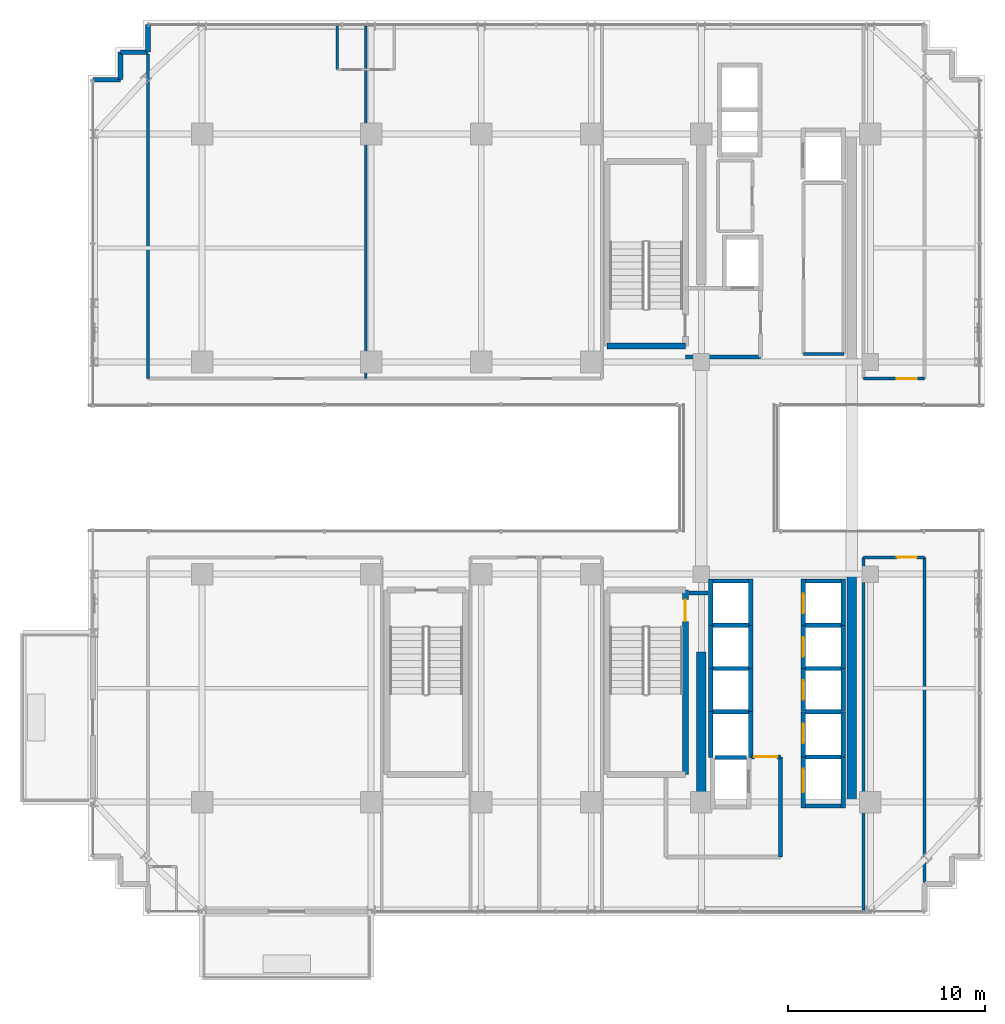
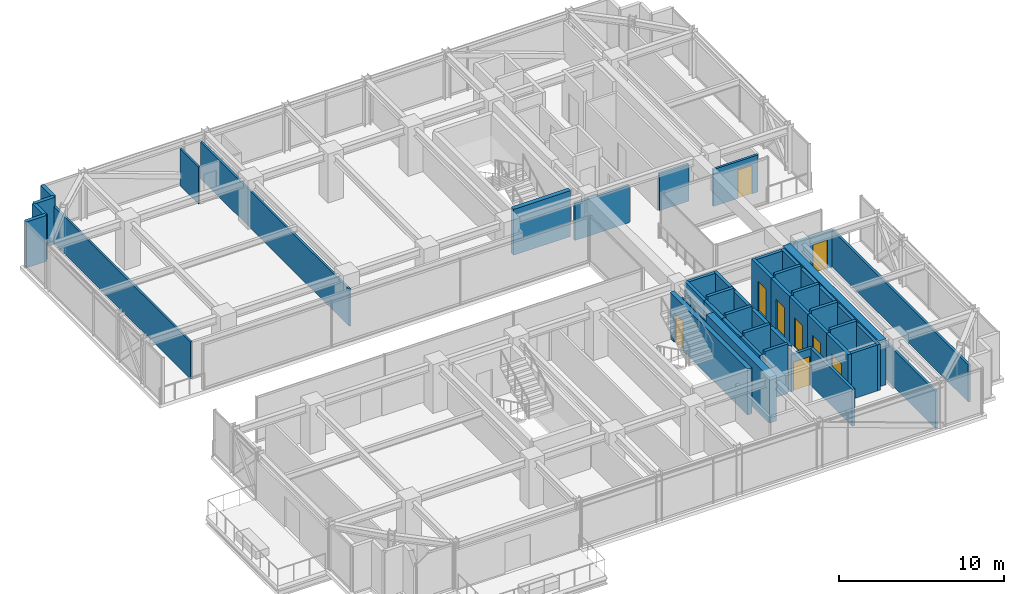
# One storey, part 30 of 36: 49 walls, 9 doors, 9 openings.
"""IFC4 building model written with IfcOpenShell, lengths in metres."""

from ifc_helpers import new_model, si_unit, direction, frame, frame_2d, origin, place, context, subcontext, project, spatial, rectangle, extrude, source, transform, mapped, material, layer, layer_set, type_object, element, fill, save


model = new_model("IFC4")

# Units and contexts
model_context = context("Model", 3, precision=1e-05, world=origin(), true_north=direction((0.0, 1.0)))
body_context = subcontext(model_context, "Body", "Model", "MODEL_VIEW")
ifc_project = project(units=[si_unit("LENGTHUNIT", "METRE"), si_unit("AREAUNIT", "SQUARE_METRE"), si_unit("VOLUMEUNIT", "CUBIC_METRE"), si_unit("PLANEANGLEUNIT", "RADIAN"), si_unit("MASSUNIT", "GRAM", prefix="KILO")], contexts=[model_context])

# Site, building, storey
site_placement = place(None, origin())
site = spatial("IfcSite", under=ifc_project, at=site_placement, CompositionType="ELEMENT")
building_placement = place(site_placement, origin())
building = spatial("IfcBuilding", under=site, at=building_placement, Name="Nahalor Promenade Grand Hotel", CompositionType="ELEMENT")
storey_placement = place(building_placement, frame((0.0, 0.0, 170.89990234375)))
storey = spatial("IfcBuildingStorey", under=building, at=storey_placement, Name="L43", CompositionType="ELEMENT", Elevation=170.89990234375)

# Walls
ifc_material_1 = material(Name="Concrete B-60 (C50/60)", Category="concrete")
ifc_layer_1 = layer(ifc_material_1, 0.5)
ifc_layer_set_1 = layer_set([ifc_layer_1], Name="Concrete B-60 (C50/60)")
wall_type_1 = type_object("IfcWallType", Name="Wall-CoreShear-500", PredefinedType="SHEAR", material=ifc_layer_set_1)
shared_shape_1 = source(origin(), body_context, "Body", "SweptSolid", [
    extrude(rectangle(XDim=7.64990234375, YDim=0.5, at=frame_2d((3.824951171875, 0.0))), origin(), (0.0, 0.0, 1.0), 3.39013671875),
])
wall_1_placement = place(storey_placement, frame((8.39990234375, -17.0, 0.0), z_axis=(0.0, 0.0, 1.0), x_axis=(0.0, 1.0, 0.0)))
element("IfcWall", 1, at=wall_1_placement, inside=storey, type_object=wall_type_1, Name="CWALL-L43-SW", PredefinedType="SHEAR", context=body_context, shape_type="MappedRepresentation", body=[
    mapped(shared_shape_1, transform((0.0, 0.0, 0.0), scale=1.0)),
])
shared_shape_2 = source(origin(), body_context, "Body", "SweptSolid", [
    extrude(rectangle(XDim=11.60009765625, YDim=0.5, at=frame_2d((5.800048828125, 0.0))), origin(), (0.0, 0.0, 1.0), 3.39013671875),
])
wall_2_placement = place(storey_placement, frame((16.050048828125, -17.0, 0.0), z_axis=(0.0, 0.0, 1.0), x_axis=(0.0, 1.0, 0.0)))
element("IfcWall", 2, at=wall_2_placement, inside=storey, type_object=wall_type_1, Name="CWALL-L43-SE", PredefinedType="SHEAR", context=body_context, shape_type="MappedRepresentation", body=[
    mapped(shared_shape_2, transform((0.0, 0.0, 0.0), scale=1.0)),
])
ifc_material_2 = material(Name="Concrete B-50 (C40/50)", Category="concrete")
ifc_layer_2 = layer(ifc_material_2, 0.300048828125)
ifc_layer_set_2 = layer_set([ifc_layer_2], Name="Concrete B-50 (C40/50)")
wall_type_2 = type_object("IfcWallType", Name="Wall-ShaftShear-300", PredefinedType="SHEAR", material=ifc_layer_set_2)
shared_shape_3 = source(origin(), body_context, "Body", "SweptSolid", [
    extrude(rectangle(XDim=3.97998046875, YDim=0.300048828125, at=frame_2d((1.989990234375, 0.0))), origin(), (0.0, 0.0, 1.0), 3.39013671875),
])
wall_3_placement = place(storey_placement, frame((3.610107421875, 6.2099609375, 0.0), z_axis=(0.0, 0.0, 1.0), x_axis=(1.0, 0.0, 0.0)))
element("IfcWall", 3, at=wall_3_placement, inside=storey, type_object=wall_type_2, Name="L43 Exit Stair ST1 Shaft Wall S", PredefinedType="SHEAR", context=body_context, shape_type="MappedRepresentation", body=[
    mapped(shared_shape_3, transform((0.0, 0.0, 0.0), scale=1.0)),
])

# Wall, opening, door
shared_shape_4 = source(origin(), body_context, "Body", "SweptSolid", [
    extrude(rectangle(XDim=9.380126953125, YDim=0.300048828125, at=frame_2d((4.68994140625, 0.0))), origin(), (0.0, 0.0, 1.0), 3.39013671875),
])
wall_4_placement = place(storey_placement, frame((7.590087890625, -15.590087890625, 0.0), z_axis=(0.0, 0.0, 1.0), x_axis=(0.0, 1.0, 0.0)))
wall_4 = element("IfcWall", 4, at=wall_4_placement, inside=storey, type_object=wall_type_2, Name="L43 Exit Stair ST2 Shaft Wall E", PredefinedType="SHEAR", context=body_context, shape_type="MappedRepresentation", body=[
    mapped(shared_shape_4, transform((0.0, 0.0, 0.0), scale=1.0)),
])
opening_1_placement = place(wall_4_placement, frame((7.7900390625, 0.0, 0.0)))
opening_1 = element("IfcOpeningElement", 5, at=opening_1_placement, cuts=wall_4, Name="Opening D-ST1", PredefinedType="OPENING", context=body_context, shape_type="SweptSolid", body=[
    extrude(rectangle(XDim=1.10009765625, YDim=2.14990234375, at=frame_2d((0.550048828125, 1.074951171875))), frame((0.0, 0.159912109375, 0.0), z_axis=(0.0, -1.0, 0.0), x_axis=(1.0, 0.0, 0.0)), (0.0, 0.0, 1.0), 0.320068359375),
])
ifc_material_3 = material(Name="Steel S355JR", Category="steel")
door_type_1 = type_object("IfcDoorType", Name="Door-StairFire-1100", OperationType="NOTDEFINED", PredefinedType="DOOR", material=ifc_material_3)
shared_shape_5 = source(origin(), body_context, "Body", "SweptSolid", [
    extrude(rectangle(XDim=1.10009765625, YDim=2.14990234375, at=frame_2d((0.550048828125, 1.074951171875))), frame((0.0, 0.02490234375, 0.0), z_axis=(0.0, -1.0, 0.0), x_axis=(1.0, 0.0, 0.0)), (0.0, 0.0, 1.0), 0.050048828125),
])
door_1_placement = place(opening_1_placement, origin())
door_1 = element("IfcDoor", 6, at=door_1_placement, inside=storey, type_object=door_type_1, Name="DR-STAIR-ST2-L43", OperationType="SINGLE_SWING_RIGHT", OverallHeight=2.14990234375, OverallWidth=1.10009765625, PredefinedType="DOOR", context=body_context, shape_type="MappedRepresentation", body=[
    mapped(shared_shape_5, transform((0.0, 0.0, 0.0), scale=1.0)),
])
fill(opening_1, door_1)

# Walls
ifc_layer_3 = layer(ifc_material_2, 0.219970703125)
ifc_layer_set_3 = layer_set([ifc_layer_3], Name="Concrete B-50 (C40/50)")
wall_type_3 = type_object("IfcWallType", Name="Wall-LiftShaft-220", PredefinedType="SHEAR", material=ifc_layer_set_3)
shared_shape_6 = source(origin(), body_context, "Body", "SweptSolid", [
    extrude(rectangle(XDim=1.820068359375, YDim=0.219970703125, at=frame_2d((0.91015625, 0.0))), origin(), (0.0, 0.0, 1.0), 3.650146484375),
])
for number, where, z_axis, x_axis, name in (
    (7, (13.68994140625, -8.0, 0.0), (0.0, 0.0, 1.0), (1.0, 0.0, 0.0), "L43 Lift PL6 Hoistway Wall N"),
    (8, (13.68994140625, -10.199951171875, 0.0), (0.0, 0.0, 1.0), (1.0, 0.0, 0.0), "L43 Lift PL7 Hoistway Wall N"),
    (9, (13.68994140625, -12.39990234375, 0.0), (0.0, 0.0, 1.0), (1.0, 0.0, 0.0), "L43 Lift PL8 Hoistway Wall N"),
    (10, (8.989990234375, -8.0, 0.0), (0.0, 0.0, 1.0), (1.0, 0.0, 0.0), "L43 Lift PL10 Hoistway Wall N"),
    (11, (8.989990234375, -10.199951171875, 0.0), (0.0, 0.0, 1.0), (1.0, 0.0, 0.0), "L43 Lift PL11 Hoistway Wall N"),
    (12, (8.989990234375, -12.39990234375, 0.0), (0.0, 0.0, 1.0), (1.0, 0.0, 0.0), "L43 Lift PL12 Hoistway Wall N"),
    (13, (13.68994140625, -14.699951171875, 0.0), (0.0, 0.0, 1.0), (1.0, 0.0, 0.0), "L43 Lift SV2 Hoistway Wall N"),
):
    element("IfcWall", number, at=place(storey_placement, frame(where, z_axis=z_axis, x_axis=x_axis)), inside=storey, type_object=wall_type_3, Name=name, PredefinedType="SHEAR", context=body_context, shape_type="MappedRepresentation", body=[
        mapped(shared_shape_6, transform((0.0, 0.0, 0.0), scale=1.0)),
    ])

# Wall, opening, door
shared_shape_7 = source(origin(), body_context, "Body", "SweptSolid", [
    extrude(rectangle(XDim=2.360107421875, YDim=0.219970703125, at=frame_2d((1.18017578125, 0.0))), origin(), (0.0, 0.0, 1.0), 3.39013671875),
])
wall_5_placement = place(storey_placement, frame((13.580078125, -8.0, 0.0), z_axis=(0.0, 0.0, 1.0), x_axis=(0.0, 1.0, 0.0)))
wall_5 = element("IfcWall", 14, at=wall_5_placement, inside=storey, type_object=wall_type_3, Name="L43 Lift PL5 Hoistway Wall W", PredefinedType="SHEAR", context=body_context, shape_type="MappedRepresentation", body=[
    mapped(shared_shape_7, transform((0.0, 0.0, 0.0), scale=1.0)),
])
opening_2_placement = place(wall_5_placement, frame((0.60009765625, 0.0, 0.0)))
opening_2 = element("IfcOpeningElement", 15, at=opening_2_placement, cuts=wall_5, Name="Opening LD-01", PredefinedType="OPENING", context=body_context, shape_type="SweptSolid", body=[
    extrude(rectangle(XDim=1.0, YDim=2.199951171875, at=frame_2d((0.5, 1.10009765625))), frame((0.0, 0.119873046875, 0.0), z_axis=(0.0, -1.0, 0.0), x_axis=(1.0, 0.0, 0.0)), (0.0, 0.0, 1.0), 0.239990234375),
])
door_type_2 = type_object("IfcDoorType", Name="Door-LiftLanding-1000", OperationType="DOUBLE_DOOR_SLIDING", PredefinedType="DOOR", material=ifc_material_3)
shared_shape_8 = source(origin(), body_context, "Body", "SweptSolid", [
    extrude(rectangle(XDim=1.0, YDim=2.199951171875, at=frame_2d((0.5, 1.10009765625))), frame((0.0, 0.02490234375, 0.0), z_axis=(0.0, -1.0, 0.0), x_axis=(1.0, 0.0, 0.0)), (0.0, 0.0, 1.0), 0.050048828125),
])
door_2_placement = place(opening_2_placement, origin())
door_2 = element("IfcDoor", 16, at=door_2_placement, inside=storey, type_object=door_type_2, Name="DR-LIFT-PL5-L43", OperationType="DOUBLE_DOOR_SLIDING", OverallHeight=2.199951171875, OverallWidth=1.0, PredefinedType="DOOR", context=body_context, shape_type="MappedRepresentation", body=[
    mapped(shared_shape_8, transform((0.0, 0.0, 0.0), scale=1.0)),
])
fill(opening_2, door_2)

# Walls
for number, where, z_axis, x_axis, name in (
    (17, (15.6201171875, -8.0, 0.0), (0.0, 0.0, 1.0), (0.0, 1.0, 0.0), "L43 Lift PL5 Hoistway Wall E"),
    (18, (8.8798828125, -8.0, 0.0), (0.0, 0.0, 1.0), (0.0, 1.0, 0.0), "L43 Lift PL9 Hoistway Wall W"),
    (19, (10.919921875, -8.0, 0.0), (0.0, 0.0, 1.0), (0.0, 1.0, 0.0), "L43 Lift PL9 Hoistway Wall E"),
):
    element("IfcWall", number, at=place(storey_placement, frame(where, z_axis=z_axis, x_axis=x_axis)), inside=storey, type_object=wall_type_3, Name=name, PredefinedType="SHEAR", context=body_context, shape_type="MappedRepresentation", body=[
        mapped(shared_shape_7, transform((0.0, 0.0, 0.0), scale=1.0)),
    ])
shared_shape_9 = source(origin(), body_context, "Body", "SweptSolid", [
    extrude(rectangle(XDim=1.820068359375, YDim=0.219970703125, at=frame_2d((0.91015625, 0.0))), origin(), (0.0, 0.0, 1.0), 3.39013671875),
])
for number, where, z_axis, x_axis, name in (
    (20, (13.68994140625, -5.75, 0.0), (0.0, 0.0, 1.0), (1.0, 0.0, 0.0), "L43 Lift PL5 Hoistway Wall N"),
    (21, (8.989990234375, -5.75, 0.0), (0.0, 0.0, 1.0), (1.0, 0.0, 0.0), "L43 Lift PL9 Hoistway Wall N"),
    (22, (13.68994140625, -17.199951171875, 0.0), (0.0, 0.0, 1.0), (1.0, 0.0, 0.0), "L43 Lift SV2 Hoistway Wall S"),
):
    element("IfcWall", number, at=place(storey_placement, frame(where, z_axis=z_axis, x_axis=x_axis)), inside=storey, type_object=wall_type_3, Name=name, PredefinedType="SHEAR", context=body_context, shape_type="MappedRepresentation", body=[
        mapped(shared_shape_9, transform((0.0, 0.0, 0.0), scale=1.0)),
    ])

# Wall, opening, door
shared_shape_10 = source(origin(), body_context, "Body", "SweptSolid", [
    extrude(rectangle(XDim=2.199951171875, YDim=0.219970703125, at=frame_2d((1.10009765625, 0.0))), origin(), (0.0, 0.0, 1.0), 3.39013671875),
])
wall_6_placement = place(storey_placement, frame((13.580078125, -10.199951171875, 0.0), z_axis=(0.0, 0.0, 1.0), x_axis=(0.0, 1.0, 0.0)))
wall_6 = element("IfcWall", 23, at=wall_6_placement, inside=storey, type_object=wall_type_3, Name="L43 Lift PL6 Hoistway Wall W", PredefinedType="SHEAR", context=body_context, shape_type="MappedRepresentation", body=[
    mapped(shared_shape_10, transform((0.0, 0.0, 0.0), scale=1.0)),
])
opening_3_placement = place(wall_6_placement, frame((0.60009765625, 0.0, 0.0)))
opening_3 = element("IfcOpeningElement", 24, at=opening_3_placement, cuts=wall_6, Name="Opening LD-01", PredefinedType="OPENING", context=body_context, shape_type="SweptSolid", body=[
    extrude(rectangle(XDim=1.0, YDim=2.199951171875, at=frame_2d((0.5, 1.10009765625))), frame((0.0, 0.119873046875, 0.0), z_axis=(0.0, -1.0, 0.0), x_axis=(1.0, 0.0, 0.0)), (0.0, 0.0, 1.0), 0.239990234375),
])
door_3_placement = place(opening_3_placement, origin())
door_3 = element("IfcDoor", 25, at=door_3_placement, inside=storey, type_object=door_type_2, Name="DR-LIFT-PL6-L43", OperationType="DOUBLE_DOOR_SLIDING", OverallHeight=2.199951171875, OverallWidth=1.0, PredefinedType="DOOR", context=body_context, shape_type="MappedRepresentation", body=[
    mapped(shared_shape_8, transform((0.0, 0.0, 0.0), scale=1.0)),
])
fill(opening_3, door_3)

# Wall
wall_7_placement = place(storey_placement, frame((15.6201171875, -10.199951171875, 0.0), z_axis=(0.0, 0.0, 1.0), x_axis=(0.0, 1.0, 0.0)))
element("IfcWall", 26, at=wall_7_placement, inside=storey, type_object=wall_type_3, Name="L43 Lift PL6 Hoistway Wall E", PredefinedType="SHEAR", context=body_context, shape_type="MappedRepresentation", body=[
    mapped(shared_shape_10, transform((0.0, 0.0, 0.0), scale=1.0)),
])

# Wall, opening, door
wall_8_placement = place(storey_placement, frame((13.580078125, -12.39990234375, 0.0), z_axis=(0.0, 0.0, 1.0), x_axis=(0.0, 1.0, 0.0)))
wall_8 = element("IfcWall", 27, at=wall_8_placement, inside=storey, type_object=wall_type_3, Name="L43 Lift PL7 Hoistway Wall W", PredefinedType="SHEAR", context=body_context, shape_type="MappedRepresentation", body=[
    mapped(shared_shape_10, transform((0.0, 0.0, 0.0), scale=1.0)),
])
opening_4_placement = place(wall_8_placement, frame((0.60009765625, 0.0, 0.0)))
opening_4 = element("IfcOpeningElement", 28, at=opening_4_placement, cuts=wall_8, Name="Opening LD-01", PredefinedType="OPENING", context=body_context, shape_type="SweptSolid", body=[
    extrude(rectangle(XDim=1.0, YDim=2.199951171875, at=frame_2d((0.5, 1.10009765625))), frame((0.0, 0.119873046875, 0.0), z_axis=(0.0, -1.0, 0.0), x_axis=(1.0, 0.0, 0.0)), (0.0, 0.0, 1.0), 0.239990234375),
])
door_4_placement = place(opening_4_placement, origin())
door_4 = element("IfcDoor", 29, at=door_4_placement, inside=storey, type_object=door_type_2, Name="DR-LIFT-PL7-L43", OperationType="DOUBLE_DOOR_SLIDING", OverallHeight=2.199951171875, OverallWidth=1.0, PredefinedType="DOOR", context=body_context, shape_type="MappedRepresentation", body=[
    mapped(shared_shape_8, transform((0.0, 0.0, 0.0), scale=1.0)),
])
fill(opening_4, door_4)

# Walls
for number, where, z_axis, x_axis, name in (
    (30, (15.6201171875, -12.39990234375, 0.0), (0.0, 0.0, 1.0), (0.0, 1.0, 0.0), "L43 Lift PL7 Hoistway Wall E"),
    (31, (8.8798828125, -10.199951171875, 0.0), (0.0, 0.0, 1.0), (0.0, 1.0, 0.0), "L43 Lift PL10 Hoistway Wall W"),
    (32, (10.919921875, -10.199951171875, 0.0), (0.0, 0.0, 1.0), (0.0, 1.0, 0.0), "L43 Lift PL10 Hoistway Wall E"),
    (33, (8.8798828125, -12.39990234375, 0.0), (0.0, 0.0, 1.0), (0.0, 1.0, 0.0), "L43 Lift PL11 Hoistway Wall W"),
    (34, (10.919921875, -12.39990234375, 0.0), (0.0, 0.0, 1.0), (0.0, 1.0, 0.0), "L43 Lift PL11 Hoistway Wall E"),
):
    element("IfcWall", number, at=place(storey_placement, frame(where, z_axis=z_axis, x_axis=x_axis)), inside=storey, type_object=wall_type_3, Name=name, PredefinedType="SHEAR", context=body_context, shape_type="MappedRepresentation", body=[
        mapped(shared_shape_10, transform((0.0, 0.0, 0.0), scale=1.0)),
    ])

# Wall, opening, door
shared_shape_11 = source(origin(), body_context, "Body", "SweptSolid", [
    extrude(rectangle(XDim=2.300048828125, YDim=0.219970703125, at=frame_2d((1.14990234375, 0.0))), origin(), (0.0, 0.0, 1.0), 3.39013671875),
])
wall_9_placement = place(storey_placement, frame((13.580078125, -14.699951171875, 0.0), z_axis=(0.0, 0.0, 1.0), x_axis=(0.0, 1.0, 0.0)))
wall_9 = element("IfcWall", 35, at=wall_9_placement, inside=storey, type_object=wall_type_3, Name="L43 Lift PL8 Hoistway Wall W", PredefinedType="SHEAR", context=body_context, shape_type="MappedRepresentation", body=[
    mapped(shared_shape_11, transform((0.0, 0.0, 0.0), scale=1.0)),
])
opening_5_placement = place(wall_9_placement, frame((0.699951171875, 0.0, 0.0)))
opening_5 = element("IfcOpeningElement", 36, at=opening_5_placement, cuts=wall_9, Name="Opening LD-01", PredefinedType="OPENING", context=body_context, shape_type="SweptSolid", body=[
    extrude(rectangle(XDim=1.0, YDim=2.199951171875, at=frame_2d((0.5, 1.10009765625))), frame((0.0, 0.119873046875, 0.0), z_axis=(0.0, -1.0, 0.0), x_axis=(1.0, 0.0, 0.0)), (0.0, 0.0, 1.0), 0.239990234375),
])
door_5_placement = place(opening_5_placement, origin())
door_5 = element("IfcDoor", 37, at=door_5_placement, inside=storey, type_object=door_type_2, Name="DR-LIFT-PL8-L43", OperationType="DOUBLE_DOOR_SLIDING", OverallHeight=2.199951171875, OverallWidth=1.0, PredefinedType="DOOR", context=body_context, shape_type="MappedRepresentation", body=[
    mapped(shared_shape_8, transform((0.0, 0.0, 0.0), scale=1.0)),
])
fill(opening_5, door_5)

# Walls
wall_10_placement = place(storey_placement, frame((15.6201171875, -14.699951171875, 0.0), z_axis=(0.0, 0.0, 1.0), x_axis=(0.0, 1.0, 0.0)))
element("IfcWall", 38, at=wall_10_placement, inside=storey, type_object=wall_type_3, Name="L43 Lift PL8 Hoistway Wall E", PredefinedType="SHEAR", context=body_context, shape_type="MappedRepresentation", body=[
    mapped(shared_shape_11, transform((0.0, 0.0, 0.0), scale=1.0)),
])
shared_shape_12 = source(origin(), body_context, "Body", "SweptSolid", [
    extrude(rectangle(XDim=2.3251953125, YDim=0.219970703125, at=frame_2d((1.16259765625, 0.0))), origin(), (0.0, 0.0, 1.0), 3.39013671875),
])
for number, where, z_axis, x_axis, name in (
    (39, (8.8798828125, -14.72509765625, 0.0), (0.0, 0.0, 1.0), (0.0, 1.0, 0.0), "L43 Lift PL12 Hoistway Wall W"),
    (40, (10.919921875, -14.72509765625, 0.0), (0.0, 0.0, 1.0), (0.0, 1.0, 0.0), "L43 Lift PL12 Hoistway Wall E"),
):
    element("IfcWall", number, at=place(storey_placement, frame(where, z_axis=z_axis, x_axis=x_axis)), inside=storey, type_object=wall_type_3, Name=name, PredefinedType="SHEAR", context=body_context, shape_type="MappedRepresentation", body=[
        mapped(shared_shape_12, transform((0.0, 0.0, 0.0), scale=1.0)),
    ])
shared_shape_13 = source(origin(), body_context, "Body", "SweptSolid", [
    extrude(rectangle(XDim=1.619873046875, YDim=0.219970703125, at=frame_2d((0.81005859375, 0.0))), origin(), (0.0, 0.0, 1.0), 3.650146484375),
])
wall_11_placement = place(storey_placement, frame((9.090087890625, -14.72509765625, 0.0), z_axis=(0.0, 0.0, 1.0), x_axis=(1.0, 0.0, 0.0)))
element("IfcWall", 41, at=wall_11_placement, inside=storey, type_object=wall_type_3, Name="L43 Lift FL2 Hoistway Wall N", PredefinedType="SHEAR", context=body_context, shape_type="MappedRepresentation", body=[
    mapped(shared_shape_13, transform((0.0, 0.0, 0.0), scale=1.0)),
])

# Wall, opening, door
shared_shape_14 = source(origin(), body_context, "Body", "SweptSolid", [
    extrude(rectangle(XDim=2.610107421875, YDim=0.219970703125, at=frame_2d((1.30517578125, 0.0))), origin(), (0.0, 0.0, 1.0), 3.39013671875),
])
wall_12_placement = place(storey_placement, frame((13.580078125, -17.31005859375, 0.0), z_axis=(0.0, 0.0, 1.0), x_axis=(0.0, 1.0, 0.0)))
wall_12 = element("IfcWall", 42, at=wall_12_placement, inside=storey, type_object=wall_type_3, Name="L43 Lift SV2 Hoistway Wall W", PredefinedType="SHEAR", context=body_context, shape_type="MappedRepresentation", body=[
    mapped(shared_shape_14, transform((0.0, 0.0, 0.0), scale=1.0)),
])
opening_6_placement = place(wall_12_placement, frame((0.81005859375, 0.0, 0.0)))
opening_6 = element("IfcOpeningElement", 43, at=opening_6_placement, cuts=wall_12, Name="Opening LD-03", PredefinedType="OPENING", context=body_context, shape_type="SweptSolid", body=[
    extrude(rectangle(XDim=1.199951171875, YDim=2.199951171875, at=frame_2d((0.60009765625, 1.10009765625))), frame((0.0, 0.119873046875, 0.0), z_axis=(0.0, -1.0, 0.0), x_axis=(1.0, 0.0, 0.0)), (0.0, 0.0, 1.0), 0.239990234375),
])
door_type_3 = type_object("IfcDoorType", Name="Door-LiftService-1200", OperationType="DOUBLE_DOOR_SLIDING", PredefinedType="DOOR", material=ifc_material_3)
shared_shape_15 = source(origin(), body_context, "Body", "SweptSolid", [
    extrude(rectangle(XDim=1.199951171875, YDim=2.199951171875, at=frame_2d((0.60009765625, 1.10009765625))), frame((0.0, 0.02490234375, 0.0), z_axis=(0.0, -1.0, 0.0), x_axis=(1.0, 0.0, 0.0)), (0.0, 0.0, 1.0), 0.050048828125),
])
door_6_placement = place(opening_6_placement, origin())
door_6 = element("IfcDoor", 44, at=door_6_placement, inside=storey, type_object=door_type_3, Name="DR-LIFT-SV2-L43", OperationType="DOUBLE_DOOR_SLIDING", OverallHeight=2.199951171875, OverallWidth=1.199951171875, PredefinedType="DOOR", context=body_context, shape_type="MappedRepresentation", body=[
    mapped(shared_shape_15, transform((0.0, 0.0, 0.0), scale=1.0)),
])
fill(opening_6, door_6)

# Walls
wall_13_placement = place(storey_placement, frame((15.6201171875, -17.31005859375, 0.0), z_axis=(0.0, 0.0, 1.0), x_axis=(0.0, 1.0, 0.0)))
element("IfcWall", 45, at=wall_13_placement, inside=storey, type_object=wall_type_3, Name="L43 Lift SV2 Hoistway Wall E", PredefinedType="SHEAR", context=body_context, shape_type="MappedRepresentation", body=[
    mapped(shared_shape_14, transform((0.0, 0.0, 0.0), scale=1.0)),
])
ifc_material_4 = material(Name="Concrete B-40 (C32/40)", Category="concrete")
ifc_layer_4 = layer(ifc_material_4, 0.25)
ifc_layer_set_4 = layer_set([ifc_layer_4], Name="Concrete B-40 (C32/40)")
wall_type_4 = type_object("IfcWallType", Name="Wall-BronzePier-250", PredefinedType="STANDARD", material=ifc_layer_set_4)
shared_shape_16 = source(origin(), body_context, "Body", "SweptSolid", [
    extrude(rectangle(XDim=1.400146484375, YDim=0.25, at=frame_2d((0.7001953125, 0.0))), origin(), (0.0, 0.0, 1.0), 3.39013671875),
])
for number, where, z_axis, x_axis, name in (
    (46, (-19.760009765625, 21.159912109375, 0.0), (0.0, 0.0, 1.0), (0.0, 1.0, 0.0), "W-L43-SR-09"),
    (47, (-22.56005859375, 19.760009765625, 0.0), (0.0, 0.0, 1.0), (1.0, 0.0, 0.0), "W-L43-SR-12"),
):
    element("IfcWall", number, at=place(storey_placement, frame(where, z_axis=z_axis, x_axis=x_axis)), inside=storey, type_object=wall_type_4, Name=name, PredefinedType="STANDARD", context=body_context, shape_type="MappedRepresentation", body=[
        mapped(shared_shape_16, transform((0.0, 0.0, 0.0), scale=1.0)),
    ])
shared_shape_17 = source(origin(), body_context, "Body", "SweptSolid", [
    extrude(rectangle(XDim=1.39990234375, YDim=0.25, at=frame_2d((0.699951171875, 0.0))), origin(), (0.0, 0.0, 1.0), 3.39013671875),
])
for number, where, z_axis, x_axis, name in (
    (48, (-21.159912109375, 21.159912109375, 0.0), (0.0, 0.0, 1.0), (1.0, 0.0, 0.0), "W-L43-SR-10"),
    (49, (-21.159912109375, 19.760009765625, 0.0), (0.0, 0.0, 1.0), (0.0, 1.0, 0.0), "W-L43-SR-11"),
):
    element("IfcWall", number, at=place(storey_placement, frame(where, z_axis=z_axis, x_axis=x_axis)), inside=storey, type_object=wall_type_4, Name=name, PredefinedType="STANDARD", context=body_context, shape_type="MappedRepresentation", body=[
        mapped(shared_shape_17, transform((0.0, 0.0, 0.0), scale=1.0)),
    ])
ifc_layer_5 = layer(ifc_material_4, 0.199951171875)
ifc_layer_set_5 = layer_set([ifc_layer_5], Name="Concrete B-40 (C32/40)")
wall_type_5 = type_object("IfcWallType", Name="Wall-PartFire-200", PredefinedType="PARTITIONING", material=ifc_layer_set_5)
shared_shape_18 = source(origin(), body_context, "Body", "SweptSolid", [
    extrude(rectangle(XDim=3.81982421875, YDim=0.199951171875, at=frame_2d((1.909912109375, 0.0))), origin(), (0.0, 0.0, 1.0), 2.72998046875),
])
wall_14_placement = place(storey_placement, frame((7.60009765625, 5.64990234375, 0.0), z_axis=(0.0, 0.0, 1.0), x_axis=(1.0, 0.0, 0.0)))
element("IfcWall", 50, at=wall_14_placement, inside=storey, type_object=wall_type_5, Name="W-L43-FF1-S", PredefinedType="PARTITIONING", context=body_context, shape_type="MappedRepresentation", body=[
    mapped(shared_shape_18, transform((0.0, 0.0, 0.0), scale=1.0)),
])
shared_shape_19 = source(origin(), body_context, "Body", "SweptSolid", [
    extrude(rectangle(XDim=5.10009765625, YDim=0.199951171875, at=frame_2d((2.550048828125, 0.0))), origin(), (0.0, 0.0, 1.0), 2.72998046875),
])
wall_15_placement = place(storey_placement, frame((12.419921875, -19.800048828125, 0.0), z_axis=(0.0, 0.0, 1.0), x_axis=(0.0, 1.0, 0.0)))
element("IfcWall", 51, at=wall_15_placement, inside=storey, type_object=wall_type_5, Name="W-L43-FF2-E", PredefinedType="PARTITIONING", context=body_context, shape_type="MappedRepresentation", body=[
    mapped(shared_shape_19, transform((0.0, 0.0, 0.0), scale=1.0)),
])

# Wall, opening, door
shared_shape_20 = source(origin(), body_context, "Body", "SweptSolid", [
    extrude(rectangle(XDim=1.4599609375, YDim=0.199951171875, at=frame_2d((0.72998046875, 0.0))), origin(), (0.0, 0.0, 1.0), 2.72998046875),
])
wall_16_placement = place(storey_placement, frame((10.9599609375, -14.699951171875, 0.0), z_axis=(0.0, 0.0, 1.0), x_axis=(1.0, 0.0, 0.0)))
wall_16 = element("IfcWall", 52, at=wall_16_placement, inside=storey, type_object=wall_type_5, Name="W-L43-FF2-N1", PredefinedType="PARTITIONING", context=body_context, shape_type="MappedRepresentation", body=[
    mapped(shared_shape_20, transform((0.0, 0.0, 0.0), scale=1.0)),
])
opening_7_placement = place(wall_16_placement, frame((0.14501953125, 0.0, 0.0)))
opening_7 = element("IfcOpeningElement", 53, at=opening_7_placement, cuts=wall_16, Name="Opening D-FF1", PredefinedType="OPENING", context=body_context, shape_type="SweptSolid", body=[
    extrude(rectangle(XDim=1.14990234375, YDim=2.14990234375, at=frame_2d((0.574951171875, 1.074951171875))), frame((0.0, 0.10986328125, 0.0), z_axis=(0.0, -1.0, 0.0), x_axis=(1.0, 0.0, 0.0)), (0.0, 0.0, 1.0), 0.219970703125),
])
door_type_4 = type_object("IfcDoorType", Name="Door-FFLobby-1150", OperationType="NOTDEFINED", PredefinedType="DOOR", material=ifc_material_3)
shared_shape_21 = source(origin(), body_context, "Body", "SweptSolid", [
    extrude(rectangle(XDim=1.14990234375, YDim=2.14990234375, at=frame_2d((0.574951171875, 1.074951171875))), frame((0.0, 0.02490234375, 0.0), z_axis=(0.0, -1.0, 0.0), x_axis=(1.0, 0.0, 0.0)), (0.0, 0.0, 1.0), 0.050048828125),
])
door_7_placement = place(opening_7_placement, origin())
door_7 = element("IfcDoor", 54, at=door_7_placement, inside=storey, type_object=door_type_4, Name="DR-L43-FFL2", OperationType="SINGLE_SWING_LEFT", OverallHeight=2.14990234375, OverallWidth=1.14990234375, PredefinedType="DOOR", context=body_context, shape_type="MappedRepresentation", body=[
    mapped(shared_shape_21, transform((0.0, 0.0, 0.0), scale=1.0)),
])
fill(opening_7, door_7)

# Walls
shared_shape_22 = source(origin(), body_context, "Body", "SweptSolid", [
    extrude(rectangle(XDim=0.969970703125, YDim=0.199951171875, at=frame_2d((0.48486328125, 0.0))), origin(), (0.0, 0.0, 1.0), 2.72998046875),
])
wall_17_placement = place(storey_placement, frame((7.77001953125, -6.35009765625, 0.0), z_axis=(0.0, 0.0, 1.0), x_axis=(1.0, 0.0, 0.0)))
element("IfcWall", 55, at=wall_17_placement, inside=storey, type_object=wall_type_5, Name="W-L43-FF2-N2", PredefinedType="PARTITIONING", context=body_context, shape_type="MappedRepresentation", body=[
    mapped(shared_shape_22, transform((0.0, 0.0, 0.0), scale=1.0)),
])
ifc_material_5 = material(Name="Acoustic Mineral Gypsum", Category="gypsum")
ifc_layer_6 = layer(ifc_material_5, 0.159912109375)
ifc_layer_set_6 = layer_set([ifc_layer_6], Name="Acoustic Mineral Gypsum")
wall_type_6 = type_object("IfcWallType", Name="Wall-PartCorridor-160", PredefinedType="PARTITIONING", material=ifc_layer_set_6)
shared_shape_23 = source(origin(), body_context, "Body", "SweptSolid", [
    extrude(rectangle(XDim=2.0498046875, YDim=0.159912109375, at=frame_2d((1.02490234375, 0.0))), origin(), (0.0, 0.0, 1.0), 2.72998046875),
])
wall_18_placement = place(storey_placement, frame((13.60009765625, 5.800048828125, 0.0), z_axis=(0.0, 0.0, 1.0), x_axis=(1.0, 0.0, 0.0)))
element("IfcWall", 56, at=wall_18_placement, inside=storey, type_object=wall_type_6, Name="W-L43-FRB1-S", PredefinedType="PARTITIONING", context=body_context, shape_type="MappedRepresentation", body=[
    mapped(shared_shape_23, transform((0.0, 0.0, 0.0), scale=1.0)),
])

# Wall, opening, door
shared_shape_24 = source(origin(), body_context, "Body", "SweptSolid", [
    extrude(rectangle(XDim=3.110107421875, YDim=0.159912109375, at=frame_2d((1.55517578125, 0.0))), origin(), (0.0, 0.0, 1.0), 2.72998046875),
])
wall_19_placement = place(storey_placement, frame((16.64990234375, 4.550048828125, 0.0), z_axis=(0.0, 0.0, 1.0), x_axis=(1.0, 0.0, 0.0)))
wall_19 = element("IfcWall", 57, at=wall_19_placement, inside=storey, type_object=wall_type_6, Name="W-L43-ENE-S", PredefinedType="PARTITIONING", context=body_context, shape_type="MappedRepresentation", body=[
    mapped(shared_shape_24, transform((0.0, 0.0, 0.0), scale=1.0)),
])
opening_8_placement = place(wall_19_placement, frame((1.700927734375, 0.0, 0.0)))
opening_8 = element("IfcOpeningElement", 58, at=opening_8_placement, cuts=wall_19, Name="Opening D-04", PredefinedType="OPENING", context=body_context, shape_type="SweptSolid", body=[
    extrude(rectangle(XDim=1.0, YDim=2.10009765625, at=frame_2d((0.5, 1.050048828125))), frame((0.0, 0.08984375, 0.0), z_axis=(0.0, -1.0, 0.0), x_axis=(1.0, 0.0, 0.0)), (0.0, 0.0, 1.0), 0.179931640625),
])
door_type_5 = type_object("IfcDoorType", Name="Door-ServiceFire-1000", OperationType="NOTDEFINED", PredefinedType="DOOR", material=ifc_material_3)
shared_shape_25 = source(origin(), body_context, "Body", "SweptSolid", [
    extrude(rectangle(XDim=1.0, YDim=2.10009765625, at=frame_2d((0.5, 1.050048828125))), frame((0.0, 0.02490234375, 0.0), z_axis=(0.0, -1.0, 0.0), x_axis=(1.0, 0.0, 0.0)), (0.0, 0.0, 1.0), 0.050048828125),
])
door_8_placement = place(opening_8_placement, origin())
door_8 = element("IfcDoor", 59, at=door_8_placement, inside=storey, type_object=door_type_5, Name="DR-L43-ENE", OperationType="SINGLE_SWING_RIGHT", OverallHeight=2.10009765625, OverallWidth=1.0, PredefinedType="DOOR", context=body_context, shape_type="MappedRepresentation", body=[
    mapped(shared_shape_25, transform((0.0, 0.0, 0.0), scale=1.0)),
])
fill(opening_8, door_8)

wall_20_placement = place(storey_placement, frame((16.64990234375, -4.550048828125, 0.0), z_axis=(0.0, 0.0, 1.0), x_axis=(1.0, 0.0, 0.0)))
wall_20 = element("IfcWall", 60, at=wall_20_placement, inside=storey, type_object=wall_type_6, Name="W-L43-ESE-N", PredefinedType="PARTITIONING", context=body_context, shape_type="MappedRepresentation", body=[
    mapped(shared_shape_24, transform((0.0, 0.0, 0.0), scale=1.0)),
])
opening_9_placement = place(wall_20_placement, frame((1.700927734375, 0.0, 0.0)))
opening_9 = element("IfcOpeningElement", 61, at=opening_9_placement, cuts=wall_20, Name="Opening D-04", PredefinedType="OPENING", context=body_context, shape_type="SweptSolid", body=[
    extrude(rectangle(XDim=1.0, YDim=2.10009765625, at=frame_2d((0.5, 1.050048828125))), frame((0.0, 0.08984375, 0.0), z_axis=(0.0, -1.0, 0.0), x_axis=(1.0, 0.0, 0.0)), (0.0, 0.0, 1.0), 0.179931640625),
])
door_9_placement = place(opening_9_placement, frame((1.0, 0.0, 0.0), z_axis=(0.0, 0.0, 1.0), x_axis=(-1.0, 0.0, 0.0)))
door_9 = element("IfcDoor", 62, at=door_9_placement, inside=storey, type_object=door_type_5, Name="DR-L43-ESE", OperationType="SINGLE_SWING_LEFT", OverallHeight=2.10009765625, OverallWidth=1.0, PredefinedType="DOOR", context=body_context, shape_type="MappedRepresentation", body=[
    mapped(shared_shape_25, transform((0.0, 0.0, 0.0), scale=1.0)),
])
fill(opening_9, door_9)

# Walls
shared_shape_26 = source(origin(), body_context, "Body", "SweptSolid", [
    extrude(rectangle(XDim=17.949951171875, YDim=0.159912109375, at=frame_2d((8.97509765625, 0.0))), origin(), (0.0, 0.0, 1.0), 2.72998046875),
])
wall_21_placement = place(storey_placement, frame((16.64990234375, -22.5, 0.0), z_axis=(0.0, 0.0, 1.0), x_axis=(0.0, 1.0, 0.0)))
element("IfcWall", 63, at=wall_21_placement, inside=storey, type_object=wall_type_6, Name="W-L43-ESE-W", PredefinedType="PARTITIONING", context=body_context, shape_type="MappedRepresentation", body=[
    mapped(shared_shape_26, transform((0.0, 0.0, 0.0), scale=1.0)),
])
shared_shape_27 = source(origin(), body_context, "Body", "SweptSolid", [
    extrude(rectangle(XDim=16.530029296875, YDim=0.159912109375, at=frame_2d((8.26513671875, 0.0))), origin(), (0.0, 0.0, 1.0), 2.72998046875),
])
wall_22_placement = place(storey_placement, frame((19.760009765625, -21.080078125, 0.0), z_axis=(0.0, 0.0, 1.0), x_axis=(0.0, 1.0, 0.0)))
element("IfcWall", 64, at=wall_22_placement, inside=storey, type_object=wall_type_6, Name="W-L43-ESE-E", PredefinedType="PARTITIONING", context=body_context, shape_type="MappedRepresentation", body=[
    mapped(shared_shape_27, transform((0.0, 0.0, 0.0), scale=1.0)),
])
ifc_layer_7 = layer(ifc_material_5, 0.1201171875)
ifc_layer_set_7 = layer_set([ifc_layer_7], Name="Acoustic Mineral Gypsum")
wall_type_7 = type_object("IfcWallType", Name="Wall-PartBath-120", PredefinedType="PARTITIONING", material=ifc_layer_set_7)
shared_shape_28 = source(origin(), body_context, "Body", "SweptSolid", [
    extrude(rectangle(XDim=2.219970703125, YDim=0.1201171875, at=frame_2d((1.10986328125, 0.0))), origin(), (0.0, 0.0, 1.0), 2.72998046875),
])
wall_23_placement = place(storey_placement, frame((-10.1220703125, 20.280029296875, 0.0), z_axis=(0.0, 0.0, 1.0), x_axis=(0.0, 1.0, 0.0)))
element("IfcWall", 65, at=wall_23_placement, inside=storey, type_object=wall_type_7, Name="W-L43-N1-BV", PredefinedType="PARTITIONING", context=body_context, shape_type="MappedRepresentation", body=[
    mapped(shared_shape_28, transform((0.0, 0.0, 0.0), scale=1.0)),
])
ifc_layer_8 = layer(ifc_material_5, 0.139892578125)
ifc_layer_set_8 = layer_set([ifc_layer_8], Name="Acoustic Mineral Gypsum")
wall_type_8 = type_object("IfcWallType", Name="Wall-PartSuite-140", PredefinedType="PARTITIONING", material=ifc_layer_set_8)
shared_shape_29 = source(origin(), body_context, "Body", "SweptSolid", [
    extrude(rectangle(XDim=17.949951171875, YDim=0.139892578125, at=frame_2d((8.97509765625, 0.0))), origin(), (0.0, 0.0, 1.0), 2.72998046875),
])
wall_24_placement = place(storey_placement, frame((-8.672119140625, 4.550048828125, 0.0), z_axis=(0.0, 0.0, 1.0), x_axis=(0.0, 1.0, 0.0)))
element("IfcWall", 66, at=wall_24_placement, inside=storey, type_object=wall_type_8, Name="W-L43-NP-1", PredefinedType="PARTITIONING", context=body_context, shape_type="MappedRepresentation", body=[
    mapped(shared_shape_29, transform((0.0, 0.0, 0.0), scale=1.0)),
])
shared_shape_30 = source(origin(), body_context, "Body", "SweptSolid", [
    extrude(rectangle(XDim=16.530029296875, YDim=0.139892578125, at=frame_2d((8.26513671875, 0.0))), origin(), (0.0, 0.0, 1.0), 2.72998046875),
])
wall_25_placement = place(storey_placement, frame((-19.760009765625, 4.550048828125, 0.0), z_axis=(0.0, 0.0, 1.0), x_axis=(0.0, 1.0, 0.0)))
element("IfcWall", 67, at=wall_25_placement, inside=storey, type_object=wall_type_8, Name="W-L43-NW-ENDW", PredefinedType="PARTITIONING", context=body_context, shape_type="MappedRepresentation", body=[
    mapped(shared_shape_30, transform((0.0, 0.0, 0.0), scale=1.0)),
])

save(model, "model.ifc")
